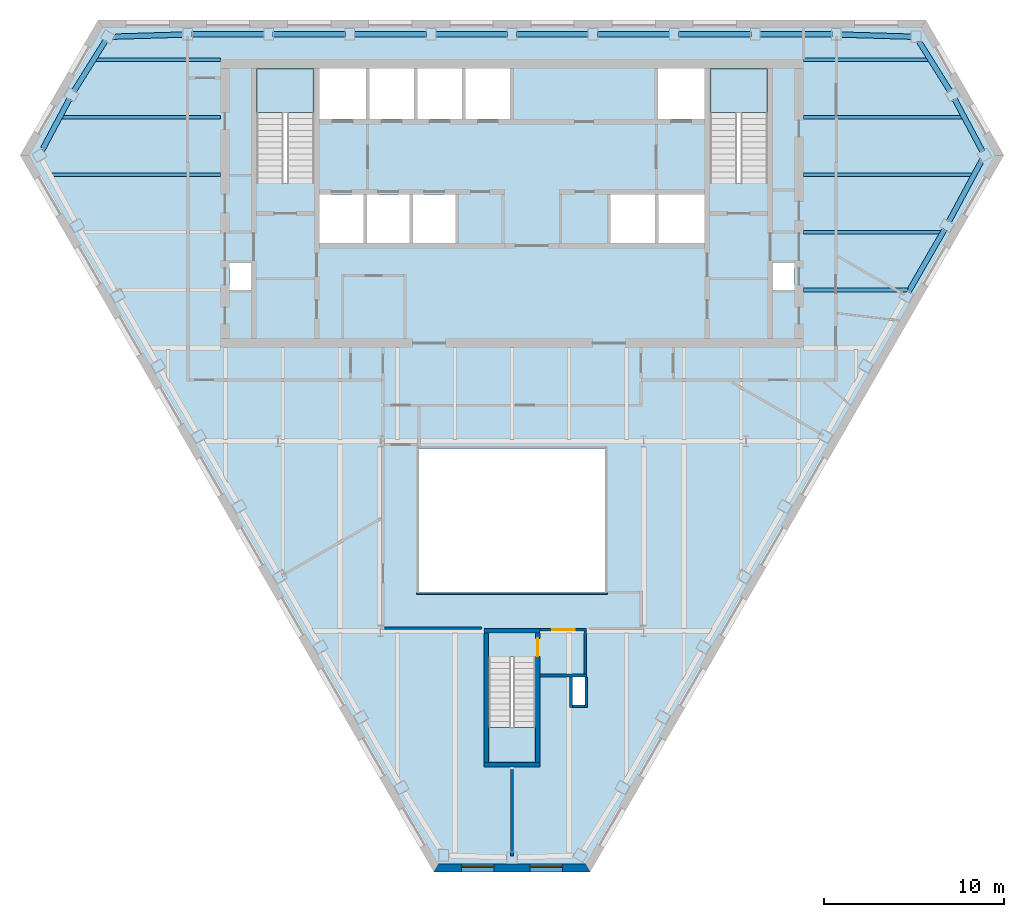
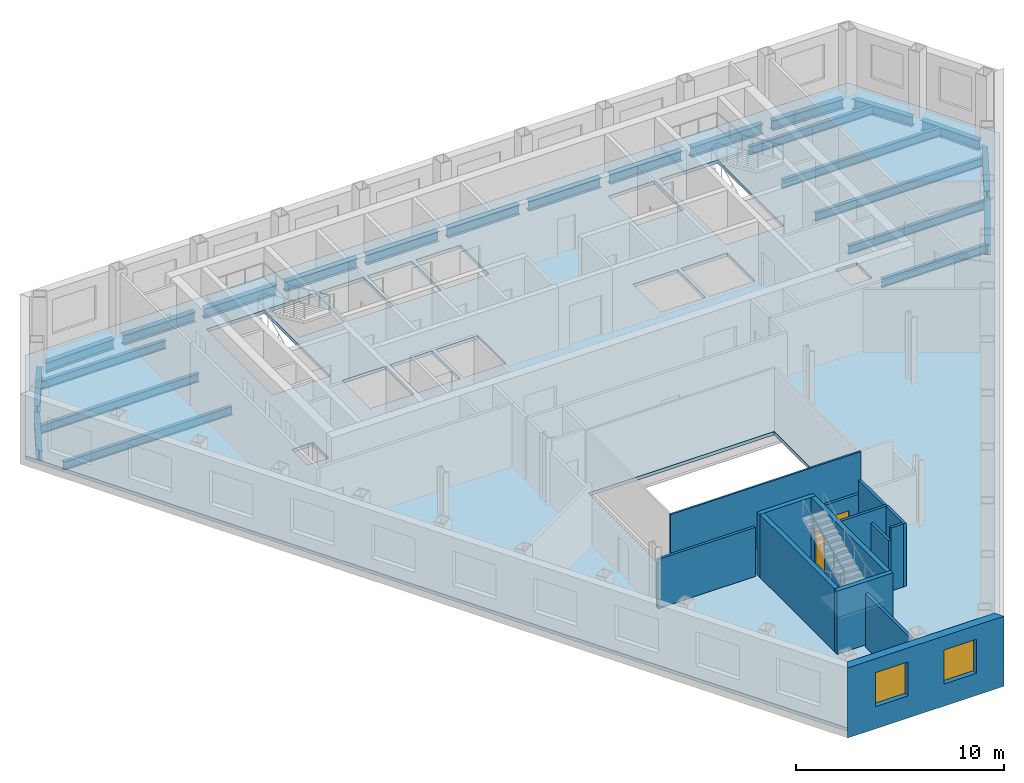
# One storey, part 3 of 10: 24 beams, 14 walls, 4 slabs, 2 doors, 2 windows, 4 openings, 3 elements without a shape of their own.
"""IFC4 building model written with IfcOpenShell, lengths in metres."""

from ifc_helpers import new_model, si_unit, direction, frame, frame_2d, origin, origin_2d, place, context, subcontext, project, spatial, polyline, rectangle, i_section, outline, extrude, clip, halfspace, material, layer, layer_set, material_profile, profile_set, type_object, element, fill, aggregate, save


model = new_model("IFC4")

# Units and contexts
model_context = context("Model", 3, precision=1e-05, world=origin(), true_north=direction((0.0, 1.0)))
body_context = subcontext(model_context, "Body", "Model", "MODEL_VIEW")
ifc_project = project(units=[si_unit("LENGTHUNIT", "METRE"), si_unit("AREAUNIT", "SQUARE_METRE"), si_unit("VOLUMEUNIT", "CUBIC_METRE"), si_unit("PLANEANGLEUNIT", "RADIAN"), si_unit("MASSUNIT", "GRAM", prefix="KILO")], contexts=[model_context])

# Site, building, storey
site_placement = place(None, origin())
site = spatial("IfcSite", under=ifc_project, at=site_placement, CompositionType="ELEMENT")
building_placement = place(site_placement, origin())
building = spatial("IfcBuilding", under=site, at=building_placement, Name="Njiva Tower", CompositionType="ELEMENT")
storey_placement = place(building_placement, frame((0.0, 0.0, 159.3)))
storey = spatial("IfcBuildingStorey", under=building, at=storey_placement, Name="L34", CompositionType="ELEMENT", Elevation=159.3)

# Beams
ifc_material_1 = material(Name="Steel S355 J2", Category="steel")
ifc_material_profile_1 = material_profile(ifc_material_1, i_section(OverallWidth=0.2, OverallDepth=0.5, WebThickness=0.0102, FlangeThickness=0.016, at=origin_2d()), Name="IPE 500")
ifc_profile_set_1 = profile_set([ifc_material_profile_1], Name="Steel S355 J2")
beam_type_1 = type_object("IfcBeamType", Name="B24 Floor beam to the core IPE 500", PredefinedType="BEAM", material=ifc_profile_set_1)
beam_1_placement = place(storey_placement, frame((16.2, 5.2, -0.45), z_axis=(1.0, 0.0, 0.0), x_axis=(0.0, 1.0, 0.0)))
element("IfcBeam", 1, at=beam_1_placement, inside=storey, type_object=beam_type_1, Name="Floor beam to the core S11-B007", PredefinedType="BEAM", context=body_context, shape_type="Clipping", body=[
    clip(extrude(i_section(OverallWidth=0.2, OverallDepth=0.5, WebThickness=0.0102, FlangeThickness=0.016, at=origin_2d()), origin(), (0.0, 0.0, 1.0), 5.854), halfspace(frame((-0.025, 0.0, 5.7611), z_axis=(-0.499998009787, 0.0, 0.866026552831), x_axis=(0.0, 1.0, 0.0)), False)),
])
beam_2_placement = place(storey_placement, frame((16.2, 8.4, -0.45), z_axis=(1.0, 0.0, 0.0), x_axis=(0.0, 1.0, 0.0)))
element("IfcBeam", 2, at=beam_2_placement, inside=storey, type_object=beam_type_1, Name="Floor beam to the core S11-B008", PredefinedType="BEAM", context=body_context, shape_type="Clipping", body=[
    clip(extrude(i_section(OverallWidth=0.2, OverallDepth=0.5, WebThickness=0.0102, FlangeThickness=0.016, at=origin_2d()), origin(), (0.0, 0.0, 1.0), 7.701), halfspace(frame((-0.025, 0.0, 7.6086), z_axis=(-0.499998009787, 0.0, 0.866026552831), x_axis=(0.0, 1.0, 0.0)), False)),
])
beam_3_placement = place(storey_placement, frame((-25.635, 11.6, -0.45), z_axis=(1.0, 0.0, 0.0), x_axis=(0.0, 1.0, 0.0)))
element("IfcBeam", 3, at=beam_3_placement, inside=storey, type_object=beam_type_1, Name="Floor beam to the core S11-B001", PredefinedType="BEAM", context=body_context, shape_type="Clipping", body=[
    clip(extrude(i_section(OverallWidth=0.2, OverallDepth=0.5, WebThickness=0.0102, FlangeThickness=0.016, at=origin_2d()), origin(), (0.0, 0.0, 1.0), 9.435), halfspace(frame((-0.0237, 0.0, 0.0863), z_axis=(-0.47376166762, 0.0, -0.88065309986), x_axis=(0.0, -1.0, 0.0)), False)),
])
beam_4_placement = place(storey_placement, frame((16.2, 11.6, -0.45), z_axis=(1.0, 0.0, 0.0), x_axis=(0.0, 1.0, 0.0)))
element("IfcBeam", 4, at=beam_4_placement, inside=storey, type_object=beam_type_1, Name="Floor beam to the core S11-B010", PredefinedType="BEAM", context=body_context, shape_type="Clipping", body=[
    clip(extrude(i_section(OverallWidth=0.2, OverallDepth=0.5, WebThickness=0.0102, FlangeThickness=0.016, at=origin_2d()), origin(), (0.0, 0.0, 1.0), 9.435), halfspace(frame((-0.0237, 0.0, 9.3487), z_axis=(-0.47376166762, 0.0, 0.88065309986), x_axis=(0.0, 1.0, 0.0)), False)),
])
beam_5_placement = place(storey_placement, frame((-25.092, 14.8, -0.45), z_axis=(1.0, 0.0, 0.0), x_axis=(0.0, 1.0, 0.0)))
element("IfcBeam", 5, at=beam_5_placement, inside=storey, type_object=beam_type_1, Name="Floor beam to the core S11-B002", PredefinedType="BEAM", context=body_context, shape_type="Clipping", body=[
    clip(extrude(i_section(OverallWidth=0.2, OverallDepth=0.5, WebThickness=0.0102, FlangeThickness=0.016, at=origin_2d()), origin(), (0.0, 0.0, 1.0), 8.892), halfspace(frame((0.0235, 0.0, 0.0856), z_axis=(0.469390396119, 0.0, -0.882990745156), x_axis=(0.0, -1.0, 0.0)), False)),
])
beam_6_placement = place(storey_placement, frame((16.2, 14.8, -0.45), z_axis=(1.0, 0.0, 0.0), x_axis=(0.0, 1.0, 0.0)))
element("IfcBeam", 6, at=beam_6_placement, inside=storey, type_object=beam_type_1, Name="Floor beam to the core S11-B011", PredefinedType="BEAM", context=body_context, shape_type="Clipping", body=[
    clip(extrude(i_section(OverallWidth=0.2, OverallDepth=0.5, WebThickness=0.0102, FlangeThickness=0.016, at=origin_2d()), origin(), (0.0, 0.0, 1.0), 8.892), halfspace(frame((0.0235, 0.0, 8.8064), z_axis=(0.469390396119, 0.0, 0.882990745156), x_axis=(0.0, 1.0, 0.0)), False)),
])
beam_7_placement = place(storey_placement, frame((-23.213, 18.0, -0.45), z_axis=(1.0, 0.0, 0.0), x_axis=(0.0, 1.0, 0.0)))
element("IfcBeam", 7, at=beam_7_placement, inside=storey, type_object=beam_type_1, Name="Floor beam to the core S11-B005", PredefinedType="BEAM", context=body_context, shape_type="Clipping", body=[
    clip(extrude(i_section(OverallWidth=0.2, OverallDepth=0.5, WebThickness=0.0102, FlangeThickness=0.016, at=origin_2d()), origin(), (0.0, 0.0, 1.0), 7.013), halfspace(frame((0.0265, 0.0, 0.0994), z_axis=(0.529998940003, 0.0, -0.847998304005), x_axis=(0.0, -1.0, 0.0)), False)),
])
beam_8_placement = place(storey_placement, frame((16.2, 18.0, -0.45), z_axis=(1.0, 0.0, 0.0), x_axis=(0.0, 1.0, 0.0)))
element("IfcBeam", 8, at=beam_8_placement, inside=storey, type_object=beam_type_1, Name="Floor beam to the core S11-B012", PredefinedType="BEAM", context=body_context, shape_type="Clipping", body=[
    clip(extrude(i_section(OverallWidth=0.2, OverallDepth=0.5, WebThickness=0.0102, FlangeThickness=0.016, at=origin_2d()), origin(), (0.0, 0.0, 1.0), 7.013), halfspace(frame((0.0265, 0.0, 6.9136), z_axis=(0.529998940003, 0.0, 0.847998304005), x_axis=(0.0, 1.0, 0.0)), False)),
])
ifc_material_profile_2 = material_profile(ifc_material_1, i_section(OverallWidth=0.3, OverallDepth=0.59, WebThickness=0.013, FlangeThickness=0.025, at=origin_2d()), Name="HEA 600")
ifc_profile_set_2 = profile_set([ifc_material_profile_2], Name="Steel S355 J2")
beam_type_2 = type_object("IfcBeamType", Name="B27 Short-span spandrel beam HEA 600", PredefinedType="SPANDREL", material=ifc_profile_set_2)
beam_9_placement = place(storey_placement, frame((22.202, 19.275, -0.495), z_axis=(-0.999555331057, 0.029818453272, 0.0), x_axis=(-0.029818453272, -0.999555331057, 0.0)))
element("IfcBeam", 9, at=beam_9_placement, inside=storey, type_object=beam_type_2, Name="Short-span spandrel beam S11-B145", PredefinedType="SPANDREL", context=body_context, shape_type="SweptSolid", body=[
    extrude(i_section(OverallWidth=0.3, OverallDepth=0.59, WebThickness=0.013, FlangeThickness=0.025, at=origin_2d()), origin(), (0.0, 0.0, 1.0), 3.9237),
])
beam_10_placement = place(storey_placement, frame((17.776, 19.4, -0.495), z_axis=(-1.0, 0.0, 0.0), x_axis=(0.0, -1.0, 0.0)))
element("IfcBeam", 10, at=beam_10_placement, inside=storey, type_object=beam_type_2, Name="Short-span spandrel beam S11-B139", PredefinedType="SPANDREL", context=body_context, shape_type="SweptSolid", body=[
    extrude(i_section(OverallWidth=0.3, OverallDepth=0.59, WebThickness=0.013, FlangeThickness=0.025, at=origin_2d()), origin(), (0.0, 0.0, 1.0), 4.006),
])
beam_11_placement = place(storey_placement, frame((13.27, 19.4, -0.495), z_axis=(-1.0, 0.0, 0.0), x_axis=(0.0, -1.0, 0.0)))
element("IfcBeam", 11, at=beam_11_placement, inside=storey, type_object=beam_type_2, Name="Short-span spandrel beam S11-B133", PredefinedType="SPANDREL", context=body_context, shape_type="SweptSolid", body=[
    extrude(i_section(OverallWidth=0.3, OverallDepth=0.59, WebThickness=0.013, FlangeThickness=0.025, at=origin_2d()), origin(), (0.0, 0.0, 1.0), 4.007),
])
beam_12_placement = place(storey_placement, frame((8.763, 19.4, -0.495), z_axis=(-1.0, 0.0, 0.0), x_axis=(0.0, -1.0, 0.0)))
element("IfcBeam", 12, at=beam_12_placement, inside=storey, type_object=beam_type_2, Name="Short-span spandrel beam S11-B127", PredefinedType="SPANDREL", context=body_context, shape_type="SweptSolid", body=[
    extrude(i_section(OverallWidth=0.3, OverallDepth=0.59, WebThickness=0.013, FlangeThickness=0.025, at=origin_2d()), origin(), (0.0, 0.0, 1.0), 4.006),
])
for number, where, z_axis, x_axis, name in (
    (13, (4.257, 19.4, -0.495), (-1.0, 0.0, 0.0), (0.0, -1.0, 0.0), "Short-span spandrel beam S11-B124"),
    (14, (-0.25, 19.4, -0.495), (-1.0, 0.0, 0.0), (0.0, -1.0, 0.0), "Short-span spandrel beam S11-B119"),
):
    element("IfcBeam", number, at=place(storey_placement, frame(where, z_axis=z_axis, x_axis=x_axis)), inside=storey, type_object=beam_type_2, Name=name, PredefinedType="SPANDREL", context=body_context, shape_type="SweptSolid", body=[
        extrude(i_section(OverallWidth=0.3, OverallDepth=0.59, WebThickness=0.013, FlangeThickness=0.025, at=origin_2d()), origin(), (0.0, 0.0, 1.0), 4.007),
    ])
beam_13_placement = place(storey_placement, frame((-4.757, 19.4, -0.495), z_axis=(-1.0, 0.0, 0.0), x_axis=(0.0, -1.0, 0.0)))
element("IfcBeam", 15, at=beam_13_placement, inside=storey, type_object=beam_type_2, Name="Short-span spandrel beam S11-B114", PredefinedType="SPANDREL", context=body_context, shape_type="SweptSolid", body=[
    extrude(i_section(OverallWidth=0.3, OverallDepth=0.59, WebThickness=0.013, FlangeThickness=0.025, at=origin_2d()), origin(), (0.0, 0.0, 1.0), 4.006),
])
beam_14_placement = place(storey_placement, frame((-9.263, 19.4, -0.495), z_axis=(-1.0, 0.0, 0.0), x_axis=(0.0, -1.0, 0.0)))
element("IfcBeam", 16, at=beam_14_placement, inside=storey, type_object=beam_type_2, Name="Short-span spandrel beam S11-B108", PredefinedType="SPANDREL", context=body_context, shape_type="SweptSolid", body=[
    extrude(i_section(OverallWidth=0.3, OverallDepth=0.59, WebThickness=0.013, FlangeThickness=0.025, at=origin_2d()), origin(), (0.0, 0.0, 1.0), 4.007),
])
beam_15_placement = place(storey_placement, frame((-13.77, 19.4, -0.495), z_axis=(-1.0, 0.0, 0.0), x_axis=(0.0, -1.0, 0.0)))
element("IfcBeam", 17, at=beam_15_placement, inside=storey, type_object=beam_type_2, Name="Short-span spandrel beam S11-B102", PredefinedType="SPANDREL", context=body_context, shape_type="SweptSolid", body=[
    extrude(i_section(OverallWidth=0.3, OverallDepth=0.59, WebThickness=0.013, FlangeThickness=0.025, at=origin_2d()), origin(), (0.0, 0.0, 1.0), 4.006),
])
beam_16_placement = place(storey_placement, frame((-18.28, 19.392, -0.495), z_axis=(-0.999548107162, -0.030059631884, 0.0), x_axis=(0.030059631884, -0.999548107162, 0.0)))
element("IfcBeam", 18, at=beam_16_placement, inside=storey, type_object=beam_type_2, Name="Short-span spandrel beam S11-B096", PredefinedType="SPANDREL", context=body_context, shape_type="Clipping", body=[
    clip(extrude(i_section(OverallWidth=0.3, OverallDepth=0.59, WebThickness=0.013, FlangeThickness=0.025, at=origin_2d()), origin(), (0.0, 0.0, 1.0), 3.9387), halfspace(frame((-0.0268, 0.0, 3.809), z_axis=(-0.525804503647, 0.0, 0.850605445518), x_axis=(0.0, 1.0, 0.0)), False)),
])
beam_17_placement = place(storey_placement, frame((-22.591, 19.051, -0.495), z_axis=(-0.529944373672, -0.848032405521, 0.0), x_axis=(0.848032405521, -0.529944373672, 0.0)))
element("IfcBeam", 19, at=beam_17_placement, inside=storey, type_object=beam_type_2, Name="Short-span spandrel beam S11-B092", PredefinedType="SPANDREL", context=body_context, shape_type="SweptSolid", body=[
    extrude(i_section(OverallWidth=0.3, OverallDepth=0.59, WebThickness=0.013, FlangeThickness=0.025, at=origin_2d()), origin(), (0.0, 0.0, 1.0), 3.2947),
])
beam_18_placement = place(storey_placement, frame((-24.592, 15.816, -0.495), z_axis=(-0.469483200143, -0.882941405068, 0.0), x_axis=(0.882941405068, -0.469483200143, 0.0)))
element("IfcBeam", 20, at=beam_18_placement, inside=storey, type_object=beam_type_2, Name="Short-span spandrel beam S11-B089", PredefinedType="SPANDREL", context=body_context, shape_type="Clipping", body=[
    clip(extrude(i_section(OverallWidth=0.3, OverallDepth=0.59, WebThickness=0.013, FlangeThickness=0.025, at=origin_2d()), origin(), (0.0, 0.0, 1.0), 3.309), halfspace(frame((-0.0262, 0.0, 3.1783), z_axis=(-0.529910035684, 0.0, 0.848053862724), x_axis=(0.0, 1.0, 0.0)), False)),
])
beam_19_placement = place(storey_placement, frame((22.03, 5.094, -0.495), z_axis=(0.499924104568, 0.866069217599, 0.0), x_axis=(-0.866069217599, 0.499924104568, 0.0)))
element("IfcBeam", 21, at=beam_19_placement, inside=storey, type_object=beam_type_2, Name="Short-span spandrel beam S11-B150", PredefinedType="SPANDREL", context=body_context, shape_type="SweptSolid", body=[
    extrude(i_section(OverallWidth=0.3, OverallDepth=0.59, WebThickness=0.013, FlangeThickness=0.025, at=origin_2d()), origin(), (0.0, 0.0, 1.0), 4.0066),
])
beam_20_placement = place(storey_placement, frame((24.278, 9.004, -0.495), z_axis=(0.473881592304, 0.880588573896, 0.0), x_axis=(-0.880588573896, 0.473881592304, 0.0)))
element("IfcBeam", 22, at=beam_20_placement, inside=storey, type_object=beam_type_2, Name="Short-span spandrel beam S11-B154", PredefinedType="SPANDREL", context=body_context, shape_type="Clipping", body=[
    clip(extrude(i_section(OverallWidth=0.3, OverallDepth=0.59, WebThickness=0.013, FlangeThickness=0.025, at=origin_2d()), origin(), (0.0, 0.0, 1.0), 3.9389), halfspace(frame((-0.0262, 0.0, 3.8093), z_axis=(-0.525673234087, 0.0, 0.850686576222), x_axis=(0.0, 1.0, 0.0)), False)),
])
beam_21_placement = place(storey_placement, frame((26.138, 12.908, -0.495), z_axis=(-0.469421608983, 0.882974151955, 0.0), x_axis=(-0.882974151955, -0.469421608983, 0.0)))
element("IfcBeam", 23, at=beam_21_placement, inside=storey, type_object=beam_type_2, Name="Short-span spandrel beam S11-B155", PredefinedType="SPANDREL", context=body_context, shape_type="SweptSolid", body=[
    extrude(i_section(OverallWidth=0.3, OverallDepth=0.59, WebThickness=0.013, FlangeThickness=0.025, at=origin_2d()), origin(), (0.0, 0.0, 1.0), 3.2934),
])
beam_22_placement = place(storey_placement, frame((24.337, 16.257, -0.495), z_axis=(-0.529830145636, 0.848103777126, 0.0), x_axis=(-0.848103777126, -0.529830145636, 0.0)))
element("IfcBeam", 24, at=beam_22_placement, inside=storey, type_object=beam_type_2, Name="Short-span spandrel beam S11-B151", PredefinedType="SPANDREL", context=body_context, shape_type="Clipping", body=[
    clip(extrude(i_section(OverallWidth=0.3, OverallDepth=0.59, WebThickness=0.013, FlangeThickness=0.025, at=origin_2d()), origin(), (0.0, 0.0, 1.0), 3.3094), halfspace(frame((-0.0263, 0.0, 3.1789), z_axis=(-0.529830145636, 0.0, 0.848103777126), x_axis=(0.0, 1.0, 0.0)), False)),
])

# Stair, slab
ifc_material_2 = material(Name="Concrete C40/50", Category="concrete")
stair_type_1 = type_object("IfcStairType", Name="ST4 Exit stair 1500", PredefinedType="HALF_TURN_STAIR", material=ifc_material_2)
stair_1_placement = place(storey_placement, origin())
stair_1 = element("IfcStair", 25, at=stair_1_placement, inside=storey, type_object=stair_type_1, Name="Stair A", PredefinedType="HALF_TURN_STAIR")
ifc_layer_1 = layer(ifc_material_2, 0.2)
ifc_layer_set_1 = layer_set([ifc_layer_1], Name="Concrete C40/50")
slab_type_1 = type_object("IfcSlabType", Name="FL9 Stair landing 200", PredefinedType="LANDING", material=ifc_layer_set_1)
slab_1_placement = place(storey_placement, frame((0.0, 0.0, 1.75)))
slab_1 = element("IfcSlab", 26, at=slab_1_placement, type_object=slab_type_1, Name="ST-A landing 1", PredefinedType="LANDING", context=body_context, shape_type="SweptSolid", body=[
    extrude(outline(polyline([(-14.206, 15.06), (-10.994, 15.06), (-10.994, 17.5), (-14.206, 17.5), (-14.206, 15.06)])), origin(), (0.0, 0.0, 1.0), 0.2),
])
aggregate(stair_1, [slab_1])

stair_2_placement = place(storey_placement, origin())
stair_2 = element("IfcStair", 27, at=stair_2_placement, inside=storey, type_object=stair_type_1, Name="Stair B", PredefinedType="HALF_TURN_STAIR")
slab_2_placement = place(storey_placement, frame((0.0, 0.0, 1.75)))
slab_2 = element("IfcSlab", 28, at=slab_2_placement, type_object=slab_type_1, Name="ST-B landing 1", PredefinedType="LANDING", context=body_context, shape_type="SweptSolid", body=[
    extrude(outline(polyline([(10.994, 15.06), (14.206, 15.06), (14.206, 17.5), (10.994, 17.5), (10.994, 15.06)])), origin(), (0.0, 0.0, 1.0), 0.2),
])
aggregate(stair_2, [slab_2])

stair_type_2 = type_object("IfcStairType", Name="ST1 Exit stair 1250", PredefinedType="HALF_TURN_STAIR", material=ifc_material_2)
stair_3_placement = place(storey_placement, origin())
stair_3 = element("IfcStair", 29, at=stair_3_placement, inside=storey, type_object=stair_type_2, Name="Stair C", PredefinedType="HALF_TURN_STAIR")
slab_3_placement = place(storey_placement, frame((0.0, 0.0, 1.75)))
slab_3 = element("IfcSlab", 30, at=slab_3_placement, type_object=slab_type_1, Name="ST-C landing 1", PredefinedType="LANDING", context=body_context, shape_type="SweptSolid", body=[
    extrude(outline(polyline([(-1.306, -21.05), (1.306, -21.05), (1.306, -19.12), (-1.306, -19.12), (-1.306, -21.05)])), origin(), (0.0, 0.0, 1.0), 0.2),
])
aggregate(stair_3, [slab_3])

# Slab
ifc_material_3 = material(Name="Concrete C30/37", Category="concrete")
ifc_layer_2 = layer(ifc_material_3, 0.2)
ifc_layer_set_2 = layer_set([ifc_layer_2], Name="Concrete C30/37")
slab_type_2 = type_object("IfcSlabType", Name="SL16 Composite floor slab 200", PredefinedType="FLOOR", material=ifc_layer_set_2)
slab_4_placement = place(storey_placement, frame((0.0, 0.0, -0.2)))
element("IfcSlab", 31, at=slab_4_placement, inside=storey, type_object=slab_type_2, Name="Floor slab L34", PredefinedType="FLOOR", context=body_context, shape_type="SweptSolid", body=[
    extrude(outline(polyline([(27.0752, 12.6829), (4.2101, -26.9206), (-4.2101, -26.9206), (-27.0752, 12.6829), (-22.8651, 19.975), (22.8651, 19.975), (27.0752, 12.6829)]), holes=[polyline([(14.5, 5.2), (15.7, 5.2), (15.7, 6.7), (14.5, 6.7), (14.5, 5.2)]), polyline([(10.994, 17.5), (10.994, 11.13), (14.206, 11.13), (14.206, 17.5), (10.994, 17.5)]), polyline([(8.125, 17.5), (8.125, 14.7), (10.7, 14.7), (10.7, 17.5), (8.125, 17.5)]), polyline([(8.1333, 7.8), (10.7, 7.8), (10.7, 10.5), (8.1333, 10.5), (8.1333, 7.8)]), polyline([(5.4667, 7.8), (7.9333, 7.8), (7.9333, 10.5), (5.4667, 10.5), (5.4667, 7.8)]), polyline([(5.17, -11.6), (5.17, -3.6), (-5.17, -3.6), (-5.17, -11.6), (5.17, -11.6)]), polyline([(3.35, -17.85), (4.05, -17.85), (4.05, -16.3), (3.35, -16.3), (3.35, -17.85)]), polyline([(-1.306, -21.05), (1.306, -21.05), (1.306, -15.19), (-1.306, -15.19), (-1.306, -21.05)]), polyline([(-2.575, 14.7), (-0.1, 14.7), (-0.1, 17.5), (-2.575, 17.5), (-2.575, 14.7)]), polyline([(-5.25, 14.7), (-2.775, 14.7), (-2.775, 17.5), (-5.25, 17.5), (-5.25, 14.7)]), polyline([(-5.5, 7.8), (-3.15, 7.8), (-3.15, 10.5), (-5.5, 10.5), (-5.5, 7.8)]), polyline([(-7.925, 14.7), (-5.45, 14.7), (-5.45, 17.5), (-7.925, 17.5), (-7.925, 14.7)]), polyline([(-8.05, 7.8), (-5.7, 7.8), (-5.7, 10.5), (-8.05, 10.5), (-8.05, 7.8)]), polyline([(-10.7, 14.7), (-8.125, 14.7), (-8.125, 17.5), (-10.7, 17.5), (-10.7, 14.7)]), polyline([(-10.7, 7.8), (-8.25, 7.8), (-8.25, 10.5), (-10.7, 10.5), (-10.7, 7.8)]), polyline([(-14.206, 11.13), (-10.994, 11.13), (-10.994, 17.5), (-14.206, 17.5), (-14.206, 11.13)]), polyline([(-15.7, 5.2), (-14.5, 5.2), (-14.5, 6.7), (-15.7, 6.7), (-15.7, 5.2)])]), origin(), (0.0, 0.0, 1.0), 0.2),
])

# Walls
ifc_material_4 = material(Name="Gypsum board on steel studs", Category="gypsum")
ifc_layer_3 = layer(ifc_material_4, 0.15)
ifc_layer_set_3 = layer_set([ifc_layer_3], Name="Gypsum board on steel studs")
wall_type_1 = type_object("IfcWallType", Name="WT21 Compartment wall 150", PredefinedType="PARTITIONING", material=ifc_layer_set_3)
wall_1_placement = place(storey_placement, frame((-7.095, -13.6, 0.0), z_axis=(0.0, 0.0, 1.0), x_axis=(1.0, 0.0, 0.0)))
element("IfcWall", 32, at=wall_1_placement, inside=storey, type_object=wall_type_1, Name="Partition S11-P011", PredefinedType="PARTITIONING", context=body_context, shape_type="SweptSolid", body=[
    extrude(rectangle(XDim=5.395, YDim=0.15, at=frame_2d((2.6975, 0.0))), origin(), (0.0, 0.0, 1.0), 2.886),
])
wall_2_placement = place(storey_placement, frame((0.0, -26.246, 0.0), z_axis=(0.0, 0.0, 1.0), x_axis=(0.0, 1.0, 0.0)))
element("IfcWall", 33, at=wall_2_placement, inside=storey, type_object=wall_type_1, Name="Partition S11-P014", PredefinedType="PARTITIONING", context=body_context, shape_type="SweptSolid", body=[
    extrude(rectangle(XDim=4.796, YDim=0.15, at=frame_2d((2.398, 0.0))), origin(), (0.0, 0.0, 1.0), 3.15),
])
ifc_material_5 = material(Name="Blockwork", Category="masonry")
ifc_layer_4 = layer(ifc_material_5, 0.15)
ifc_layer_set_4 = layer_set([ifc_layer_4], Name="Blockwork")
wall_type_2 = type_object("IfcWallType", Name="WT4 Stair partition 150", PredefinedType="PARTITIONING", material=ifc_layer_set_4)
wall_3_placement = place(storey_placement, frame((1.55, -16.225, 0.0), z_axis=(0.0, 0.0, 1.0), x_axis=(1.0, 0.0, 0.0)))
element("IfcWall", 34, at=wall_3_placement, inside=storey, type_object=wall_type_2, Name="Stair C vestibule wall south", PredefinedType="PARTITIONING", context=body_context, shape_type="SweptSolid", body=[
    extrude(rectangle(XDim=2.6, YDim=0.15, at=frame_2d((1.3, 0.0))), origin(), (0.0, 0.0, 1.0), 3.7),
])
wall_4_placement = place(storey_placement, frame((4.075, -16.15, 0.0), z_axis=(0.0, 0.0, 1.0), x_axis=(0.0, 1.0, 0.0)))
element("IfcWall", 35, at=wall_4_placement, inside=storey, type_object=wall_type_2, Name="Stair C vestibule wall east", PredefinedType="PARTITIONING", context=body_context, shape_type="SweptSolid", body=[
    extrude(rectangle(XDim=2.4, YDim=0.15, at=frame_2d((1.2, 0.0))), origin(), (0.0, 0.0, 1.0), 3.7),
])

# Wall, opening, door
wall_5_placement = place(storey_placement, frame((1.55, -13.675, 0.0), z_axis=(0.0, 0.0, 1.0), x_axis=(1.0, 0.0, 0.0)))
wall_5 = element("IfcWall", 36, at=wall_5_placement, inside=storey, type_object=wall_type_2, Name="Stair C vestibule wall north", PredefinedType="PARTITIONING", context=body_context, shape_type="SweptSolid", body=[
    extrude(rectangle(XDim=2.6, YDim=0.15, at=frame_2d((1.3, 0.0))), origin(), (0.0, 0.0, 1.0), 2.886),
])
opening_1_placement = place(wall_5_placement, frame((0.675, 0.0, 0.0)))
opening_1 = element("IfcOpeningElement", 37, at=opening_1_placement, cuts=wall_5, Name="Opening S11-D937", PredefinedType="OPENING", context=body_context, shape_type="SweptSolid", body=[
    extrude(rectangle(XDim=1.25, YDim=2.1, at=frame_2d((0.625, 1.05))), frame((0.0, 0.085, 0.0), z_axis=(0.0, -1.0, 0.0), x_axis=(1.0, 0.0, 0.0)), (0.0, 0.0, 1.0), 0.17),
])
ifc_material_6 = material(Name="Glazed steel fire door", Category="steel")
door_type_1 = type_object("IfcDoorType", Name="D8 Vestibule corridor door 1250x2100 glazed", OperationType="SINGLE_SWING_LEFT", PredefinedType="DOOR", material=ifc_material_6)
door_1_placement = place(opening_1_placement, origin())
door_1 = element("IfcDoor", 38, at=door_1_placement, inside=storey, type_object=door_type_1, Name="Stair vestibule corridor door", OperationType="SINGLE_SWING_RIGHT", OverallHeight=2.1, OverallWidth=1.25, PredefinedType="DOOR", context=body_context, shape_type="SweptSolid", body=[
    extrude(rectangle(XDim=1.25, YDim=2.1, at=frame_2d((0.625, 1.05))), frame((0.0, 0.025, 0.0), z_axis=(0.0, -1.0, 0.0), x_axis=(1.0, 0.0, 0.0)), (0.0, 0.0, 1.0), 0.05),
])
fill(opening_1, door_1)

# Walls
wall_6_placement = place(storey_placement, frame((3.275, -18.0, 0.0), z_axis=(0.0, 0.0, 1.0), x_axis=(0.0, 1.0, 0.0)))
element("IfcWall", 39, at=wall_6_placement, inside=storey, type_object=wall_type_2, Name="Stair C pressurisation shaft wall", PredefinedType="PARTITIONING", context=body_context, shape_type="SweptSolid", body=[
    extrude(rectangle(XDim=1.7, YDim=0.15, at=frame_2d((0.85, 0.0))), origin(), (0.0, 0.0, 1.0), 3.01),
])
wall_7_placement = place(storey_placement, frame((3.35, -17.925, 0.0), z_axis=(0.0, 0.0, 1.0), x_axis=(1.0, 0.0, 0.0)))
element("IfcWall", 40, at=wall_7_placement, inside=storey, type_object=wall_type_2, Name="Stair C pressurisation shaft wall", PredefinedType="PARTITIONING", context=body_context, shape_type="SweptSolid", body=[
    extrude(rectangle(XDim=0.7, YDim=0.15, at=frame_2d((0.35, 0.0))), origin(), (0.0, 0.0, 1.0), 3.7),
])
wall_8_placement = place(storey_placement, frame((4.125, -18.0, 0.0), z_axis=(0.0, 0.0, 1.0), x_axis=(0.0, 1.0, 0.0)))
element("IfcWall", 41, at=wall_8_placement, inside=storey, type_object=wall_type_2, Name="Stair C pressurisation shaft wall", PredefinedType="PARTITIONING", context=body_context, shape_type="SweptSolid", body=[
    extrude(rectangle(XDim=1.7, YDim=0.15, at=frame_2d((0.85, 0.0))), origin(), (0.0, 0.0, 1.0), 3.7),
])
ifc_layer_5 = layer(ifc_material_2, 0.25)
ifc_layer_set_5 = layer_set([ifc_layer_5], Name="Concrete C40/50")
wall_type_3 = type_object("IfcWallType", Name="WT9 Stair enclosure wall 250", PredefinedType="SHEAR", material=ifc_layer_set_5)
wall_9_placement = place(storey_placement, frame((-1.425, -21.05, 0.0), z_axis=(0.0, 0.0, 1.0), x_axis=(0.0, 1.0, 0.0)))
element("IfcWall", 42, at=wall_9_placement, inside=storey, type_object=wall_type_3, Name="Stair C wall west", PredefinedType="SHEAR", context=body_context, shape_type="SweptSolid", body=[
    extrude(rectangle(XDim=7.2, YDim=0.25, at=frame_2d((3.6, 0.0))), origin(), (0.0, 0.0, 1.0), 3.7),
])

# Wall, opening, door
wall_10_placement = place(storey_placement, frame((1.425, -21.05, 0.0), z_axis=(0.0, 0.0, 1.0), x_axis=(0.0, 1.0, 0.0)))
wall_10 = element("IfcWall", 43, at=wall_10_placement, inside=storey, type_object=wall_type_3, Name="Stair C wall east", PredefinedType="SHEAR", context=body_context, shape_type="SweptSolid", body=[
    extrude(rectangle(XDim=7.2, YDim=0.25, at=frame_2d((3.6, 0.0))), origin(), (0.0, 0.0, 1.0), 3.7),
])
opening_2_placement = place(wall_10_placement, frame((5.89, 0.0, 0.0)))
opening_2 = element("IfcOpeningElement", 44, at=opening_2_placement, cuts=wall_10, Name="Opening S11-D936", PredefinedType="OPENING", context=body_context, shape_type="SweptSolid", body=[
    extrude(rectangle(XDim=1.0, YDim=2.1, at=frame_2d((0.5, 1.05))), frame((0.0, 0.135, 0.0), z_axis=(0.0, -1.0, 0.0), x_axis=(1.0, 0.0, 0.0)), (0.0, 0.0, 1.0), 0.27),
])
door_type_2 = type_object("IfcDoorType", Name="D9 Stair vestibule door 1000x2100 glazed", OperationType="SINGLE_SWING_LEFT", PredefinedType="DOOR", material=ifc_material_6)
door_2_placement = place(opening_2_placement, origin())
door_2 = element("IfcDoor", 45, at=door_2_placement, inside=storey, type_object=door_type_2, Name="Stair C door", OperationType="SINGLE_SWING_LEFT", OverallHeight=2.1, OverallWidth=1.0, PredefinedType="DOOR", context=body_context, shape_type="SweptSolid", body=[
    extrude(rectangle(XDim=1.0, YDim=2.1, at=frame_2d((0.5, 1.05))), frame((0.0, 0.025, 0.0), z_axis=(0.0, -1.0, 0.0), x_axis=(1.0, 0.0, 0.0)), (0.0, 0.0, 1.0), 0.05),
])
fill(opening_2, door_2)

# Walls
for number, where, z_axis, x_axis, name in (
    (46, (-1.55, -21.175, 0.0), (0.0, 0.0, 1.0), (1.0, 0.0, 0.0), "Stair C wall south"),
    (47, (-1.55, -13.725, 0.0), (0.0, 0.0, 1.0), (1.0, 0.0, 0.0), "Stair C wall north"),
):
    element("IfcWall", number, at=place(storey_placement, frame(where, z_axis=z_axis, x_axis=x_axis)), inside=storey, type_object=wall_type_3, Name=name, PredefinedType="SHEAR", context=body_context, shape_type="SweptSolid", body=[
        extrude(rectangle(XDim=3.1, YDim=0.25, at=frame_2d((1.55, 0.0))), origin(), (0.0, 0.0, 1.0), 3.7),
    ])

# Wall, openings, windows
ifc_material_7 = material(Name="Brick masonry, buff", Category="masonry")
ifc_layer_6 = layer(ifc_material_7, 0.45)
ifc_layer_set_6 = layer_set([ifc_layer_6], Name="Brick masonry, buff")
wall_type_4 = type_object("IfcWallType", Name="WT94 Brick pier and spandrel wall 450, buff", PredefinedType="SOLIDWALL", material=ifc_layer_set_6)
wall_11_placement = place(storey_placement, frame((-4.2101, -26.9206, -0.4), z_axis=(0.0, 0.0, 1.0), x_axis=(1.0, 0.0, 0.0)))
wall_11 = element("IfcWall", 48, at=wall_11_placement, inside=storey, type_object=wall_type_4, Name="Facade wall S", PredefinedType="SOLIDWALL", context=body_context, shape_type="SweptSolid", body=[
    extrude(outline(polyline([(-0.1299, -0.225), (8.5501, -0.225), (8.2903, 0.225), (0.1299, 0.225), (-0.1299, -0.225)])), origin(), (0.0, 0.0, 1.0), 4.12),
])
opening_3_placement = place(wall_11_placement, frame((1.4094, 0.0, 1.3)))
opening_3 = element("IfcOpeningElement", 49, at=opening_3_placement, cuts=wall_11, Name="Opening S11-W22", PredefinedType="OPENING", context=body_context, shape_type="SweptSolid", body=[
    extrude(rectangle(XDim=1.8, YDim=2.0, at=frame_2d((0.9, 1.0))), frame((0.0, 0.235, 0.0), z_axis=(0.0, -1.0, 0.0), x_axis=(1.0, 0.0, 0.0)), (0.0, 0.0, 1.0), 0.47),
])
opening_4_placement = place(wall_11_placement, frame((5.2107, 0.0, 1.3)))
opening_4 = element("IfcOpeningElement", 50, at=opening_4_placement, cuts=wall_11, Name="Opening S11-W23", PredefinedType="OPENING", context=body_context, shape_type="SweptSolid", body=[
    extrude(rectangle(XDim=1.8, YDim=2.0, at=frame_2d((0.9, 1.0))), frame((0.0, 0.235, 0.0), z_axis=(0.0, -1.0, 0.0), x_axis=(1.0, 0.0, 0.0)), (0.0, 0.0, 1.0), 0.47),
])
ifc_material_8 = material(Name="Clear glazing in aluminium frame", Category="aluminium")
window_type = type_object("IfcWindowType", Name="W94 Deep-set window 1800x2000", PartitioningType="SINGLE_PANEL", PredefinedType="WINDOW", material=ifc_material_8)
window_1_placement = place(opening_3_placement, origin())
window_1 = element("IfcWindow", 51, at=window_1_placement, inside=storey, type_object=window_type, Name="Window", OverallHeight=2.0, OverallWidth=1.8, PartitioningType="SINGLE_PANEL", PredefinedType="WINDOW", context=body_context, shape_type="SweptSolid", body=[
    extrude(rectangle(XDim=1.8, YDim=2.0, at=frame_2d((0.9, 1.0))), frame((0.0, 0.105, 0.0), z_axis=(0.0, -1.0, 0.0), x_axis=(1.0, 0.0, 0.0)), (0.0, 0.0, 1.0), 0.06),
])
fill(opening_3, window_1)
window_2_placement = place(opening_4_placement, origin())
window_2 = element("IfcWindow", 52, at=window_2_placement, inside=storey, type_object=window_type, Name="Window", OverallHeight=2.0, OverallWidth=1.8, PartitioningType="SINGLE_PANEL", PredefinedType="WINDOW", context=body_context, shape_type="SweptSolid", body=[
    extrude(rectangle(XDim=1.8, YDim=2.0, at=frame_2d((0.9, 1.0))), frame((0.0, 0.105, 0.0), z_axis=(0.0, -1.0, 0.0), x_axis=(1.0, 0.0, 0.0)), (0.0, 0.0, 1.0), 0.06),
])
fill(opening_4, window_2)

# Wall
ifc_material_9 = material(Name="Fire-resisting glazing EI 90", Category="glass")
ifc_layer_7 = layer(ifc_material_9, 0.1)
ifc_layer_set_7 = layer_set([ifc_layer_7], Name="Fire-resisting glazing EI 90")
wall_type_5 = type_object("IfcWallType", Name="WT95 Fire-resisting glazed screen EI 90", PredefinedType="PARTITIONING", material=ifc_layer_set_7)
wall_12_placement = place(storey_placement, frame((-5.29, -11.67, 0.0), z_axis=(0.0, 0.0, 1.0), x_axis=(1.0, 0.0, 0.0)))
element("IfcWall", 53, at=wall_12_placement, inside=storey, type_object=wall_type_5, Name="Atrium fire screen south", PredefinedType="PARTITIONING", context=body_context, shape_type="SweptSolid", body=[
    extrude(rectangle(XDim=10.58, YDim=0.1, at=frame_2d((5.29, 0.0))), origin(), (0.0, 0.0, 1.0), 3.7),
])

save(model, "model.ifc")
